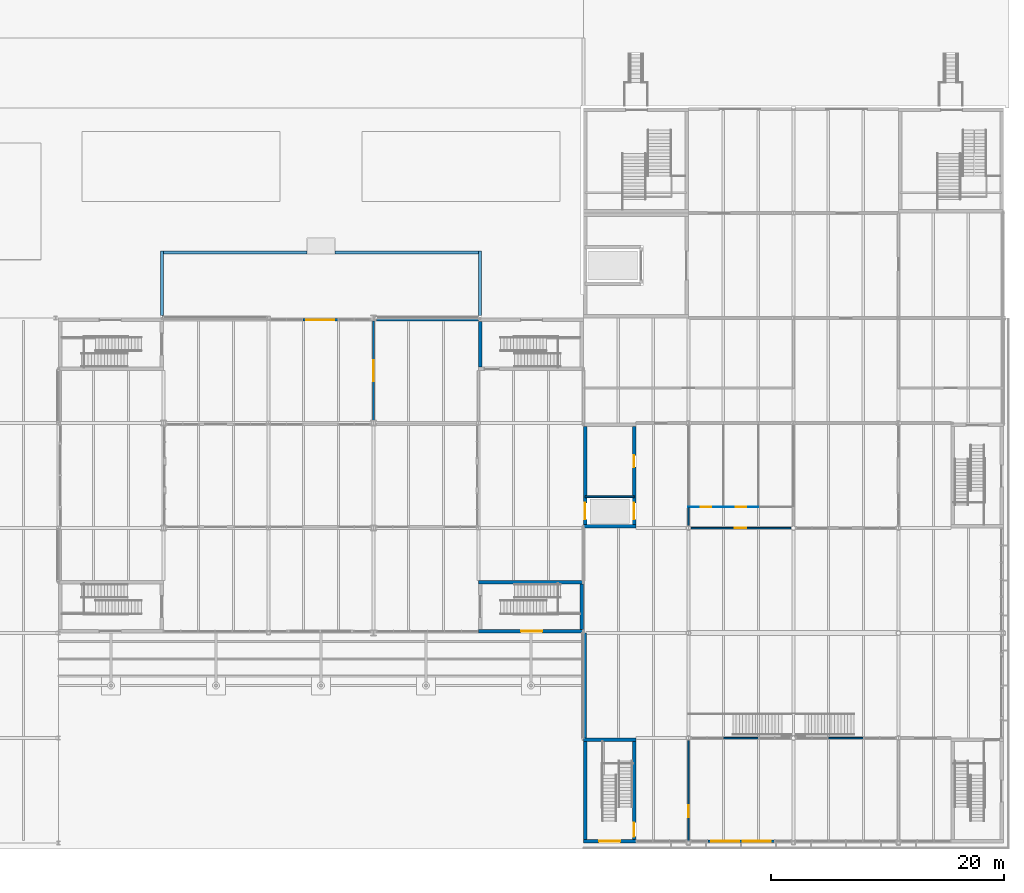
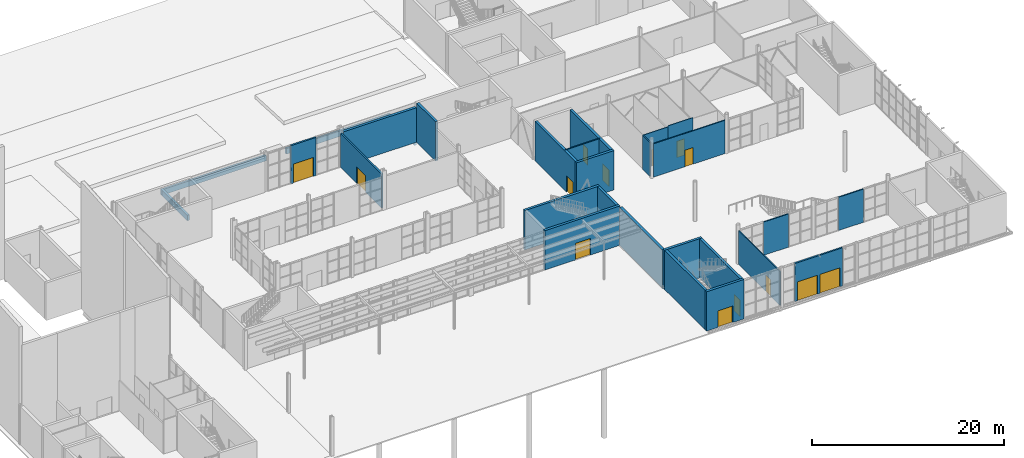
# One storey, part 38 of 63: 28 walls, 14 doors, 14 openings.
"""IFC4 building model written with IfcOpenShell, lengths in metres."""

from ifc_helpers import new_model, si_unit, direction, frame, frame_2d, origin, place, context, subcontext, project, spatial, rectangle, extrude, material, layer, layer_set, type_object, element, fill, save


model = new_model("IFC4")

# Units and contexts
model_context = context("Model", 3, precision=1e-05, world=origin(), true_north=direction((0.0, 1.0)))
body_context = subcontext(model_context, "Body", "Model", "MODEL_VIEW")
ifc_project = project(units=[si_unit("LENGTHUNIT", "METRE"), si_unit("AREAUNIT", "SQUARE_METRE"), si_unit("VOLUMEUNIT", "CUBIC_METRE"), si_unit("PLANEANGLEUNIT", "RADIAN"), si_unit("MASSUNIT", "GRAM", prefix="KILO")], contexts=[model_context])

# Site, building, storey
site_placement = place(None, origin())
site = spatial("IfcSite", under=ifc_project, at=site_placement, CompositionType="ELEMENT")
building_placement = place(site_placement, origin())
building = spatial("IfcBuilding", under=site, at=building_placement, Name="Halyard Row Museum", CompositionType="ELEMENT")
storey_placement = place(building_placement, origin())
storey = spatial("IfcBuildingStorey", under=building, at=storey_placement, Name="L00", CompositionType="ELEMENT", Elevation=0.0)

# Wall
ifc_material_1 = material(Name="Timber battens on insulated steel-stud wall", Category="steel")
ifc_layer_1 = layer(ifc_material_1, 0.320068359375)
ifc_layer_set_1 = layer_set([ifc_layer_1], Name="Timber battens on insulated steel-stud wall")
wall_type_1 = type_object("IfcWallType", Name="Batten rainscreen wall 320 deep reveal", PredefinedType="SOLIDWALL", material=ifc_layer_set_1)
wall_1_placement = place(storey_placement, frame((72.10009765625, 9.0, 0.0), z_axis=(0.0, 0.0, 1.0), x_axis=(0.0, 1.0, 0.0)))
element("IfcWall", 1, at=wall_1_placement, inside=storey, type_object=wall_type_1, Name="Wall WL00-800", PredefinedType="SOLIDWALL", context=body_context, shape_type="SweptSolid", body=[
    extrude(rectangle(XDim=9.0, YDim=0.320068359375, at=frame_2d((4.5, 0.0))), origin(), (0.0, 0.0, 1.0), 4.8349609375),
])

# Wall, opening, door
ifc_material_2 = material(Name="Concrete masonry 15 MPa", Category="masonry")
ifc_layer_2 = layer(ifc_material_2, 0.199951171875)
ifc_layer_set_2 = layer_set([ifc_layer_2], Name="Concrete masonry 15 MPa")
wall_type_2 = type_object("IfcWallType", Name="Blockwork wall 200 fire rated", PredefinedType="PARTITIONING", material=ifc_layer_set_2)
wall_2_placement = place(storey_placement, frame((54.0, 36.239990234375, 0.0), z_axis=(0.0, 0.0, 1.0), x_axis=(0.0, 1.0, 0.0)))
wall_2 = element("IfcWall", 2, at=wall_2_placement, inside=storey, type_object=wall_type_2, Name="Partition Cafe / Catering Kitchen", PredefinedType="PARTITIONING", context=body_context, shape_type="SweptSolid", body=[
    extrude(rectangle(XDim=8.52001953125, YDim=0.199951171875, at=frame_2d((4.260009765625, 0.0))), origin(), (0.0, 0.0, 1.0), 4.302001953125),
])
opening_1_placement = place(wall_2_placement, frame((3.35009765625, 0.0, 0.0)))
opening_1 = element("IfcOpeningElement", 3, at=opening_1_placement, cuts=wall_2, Name="Opening DL00-039", PredefinedType="OPENING", context=body_context, shape_type="SweptSolid", body=[
    extrude(rectangle(XDim=1.800048828125, YDim=2.10009765625, at=frame_2d((0.89990234375, 1.050048828125))), frame((0.0, 0.10986328125, 0.0), z_axis=(0.0, -1.0, 0.0), x_axis=(1.0, 0.0, 0.0)), (0.0, 0.0, 1.0), 0.219970703125),
])
ifc_material_3 = material(Name="Timber veneered door leaf and softwood frame", Category="wood")
door_type_1 = type_object("IfcDoorType", Name="Double door 1800 x 2100 fire rated", OperationType="NOTDEFINED", PredefinedType="DOOR", material=ifc_material_3)
door_1_placement = place(opening_1_placement, frame((1.800048828125, 0.0, 0.0), z_axis=(0.0, 0.0, 1.0), x_axis=(-1.0, 0.0, 0.0)))
door_1 = element("IfcDoor", 4, at=door_1_placement, inside=storey, type_object=door_type_1, Name="Door Catering Kitchen to Cafe", OperationType="DOUBLE_DOOR_SINGLE_SWING", OverallHeight=2.10009765625, OverallWidth=1.800048828125, PredefinedType="DOOR", context=body_context, shape_type="SweptSolid", body=[
    extrude(rectangle(XDim=1.800048828125, YDim=2.10009765625, at=frame_2d((0.89990234375, 1.050048828125))), frame((0.0, 0.02490234375, 0.0), z_axis=(0.0, -1.0, 0.0), x_axis=(1.0, 0.0, 0.0)), (0.0, 0.0, 1.0), 0.050048828125),
])
fill(opening_1, door_1)

# Wall
ifc_material_4 = material(Name="Concrete 40 MPa", Category="concrete")
ifc_layer_3 = layer(ifc_material_4, 0.300048828125)
ifc_layer_set_3 = layer_set([ifc_layer_3], Name="Concrete 40 MPa")
wall_type_3 = type_object("IfcWallType", Name="Core wall 300 lift shaft", PredefinedType="SOLIDWALL", material=ifc_layer_set_3)
wall_3_placement = place(storey_placement, frame((72.0, 27.14990234375, 0.0), z_axis=(0.0, 0.0, 1.0), x_axis=(1.0, 0.0, 0.0)))
element("IfcWall", 5, at=wall_3_placement, inside=storey, type_object=wall_type_3, Name="Core wall K7 S L00", PredefinedType="SOLIDWALL", context=body_context, shape_type="SweptSolid", body=[
    extrude(rectangle(XDim=4.5, YDim=0.300048828125, at=frame_2d((2.25, 0.0))), origin(), (0.0, 0.0, 1.0), 5.0),
])

# Wall, openings, doors
wall_4_placement = place(storey_placement, frame((76.35009765625, 27.300048828125, 0.0), z_axis=(0.0, 0.0, 1.0), x_axis=(0.0, 1.0, 0.0)))
wall_4 = element("IfcWall", 6, at=wall_4_placement, inside=storey, type_object=wall_type_3, Name="Core wall K7 E L00", PredefinedType="SOLIDWALL", context=body_context, shape_type="SweptSolid", body=[
    extrude(rectangle(XDim=8.39990234375, YDim=0.300048828125, at=frame_2d((4.199951171875, 0.0))), origin(), (0.0, 0.0, 1.0), 5.0),
])
opening_2_placement = place(wall_4_placement, frame((0.449951171875, 0.0, 0.0)))
opening_2 = element("IfcOpeningElement", 7, at=opening_2_placement, cuts=wall_4, Name="Opening LDPL1-L00", PredefinedType="OPENING", context=body_context, shape_type="SweptSolid", body=[
    extrude(rectangle(XDim=1.39990234375, YDim=2.10009765625, at=frame_2d((0.699951171875, 1.050048828125))), frame((0.0, 0.159912109375, 0.0), z_axis=(0.0, -1.0, 0.0), x_axis=(1.0, 0.0, 0.0)), (0.0, 0.0, 1.0), 0.320068359375),
])
opening_3_placement = place(wall_4_placement, frame((4.925048828125, 0.0, 0.0)))
opening_3 = element("IfcOpeningElement", 8, at=opening_3_placement, cuts=wall_4, Name="Opening DL00-024", PredefinedType="OPENING", context=body_context, shape_type="SweptSolid", body=[
    extrude(rectangle(XDim=1.0, YDim=2.10009765625, at=frame_2d((0.5, 1.050048828125))), frame((0.0, 0.159912109375, 0.0), z_axis=(0.0, -1.0, 0.0), x_axis=(1.0, 0.0, 0.0)), (0.0, 0.0, 1.0), 0.320068359375),
])
ifc_material_5 = material(Name="Stainless steel sliding car and landing doors", Category="steel")
door_type_2 = type_object("IfcDoorType", Name="Lift landing door 1400 x 2100", OperationType="SLIDING_TO_LEFT", PredefinedType="DOOR", material=ifc_material_5)
door_2_placement = place(opening_2_placement, origin())
door_2 = element("IfcDoor", 9, at=door_2_placement, inside=storey, type_object=door_type_2, Name="Landing door PL1 E L00", OperationType="SLIDING_TO_LEFT", OverallHeight=2.10009765625, OverallWidth=1.39990234375, PredefinedType="DOOR", context=body_context, shape_type="SweptSolid", body=[
    extrude(rectangle(XDim=1.39990234375, YDim=2.10009765625, at=frame_2d((0.699951171875, 1.050048828125))), frame((0.0, 0.02490234375, 0.0), z_axis=(0.0, -1.0, 0.0), x_axis=(1.0, 0.0, 0.0)), (0.0, 0.0, 1.0), 0.050048828125),
])
fill(opening_2, door_2)
ifc_material_6 = material(Name="Galvanised steel door leaf and frame", Category="steel")
door_type_3 = type_object("IfcDoorType", Name="Riser door 1000 x 2100 fire rated", OperationType="NOTDEFINED", PredefinedType="DOOR", material=ifc_material_6)
door_3_placement = place(opening_3_placement, frame((1.0, 0.0, 0.0), z_axis=(0.0, 0.0, 1.0), x_axis=(-1.0, 0.0, 0.0)))
door_3 = element("IfcDoor", 10, at=door_3_placement, inside=storey, type_object=door_type_3, Name="Riser door K7 L00", OperationType="SINGLE_SWING_RIGHT", OverallHeight=2.10009765625, OverallWidth=1.0, PredefinedType="DOOR", context=body_context, shape_type="SweptSolid", body=[
    extrude(rectangle(XDim=1.0, YDim=2.10009765625, at=frame_2d((0.5, 1.050048828125))), frame((0.0, 0.02490234375, 0.0), z_axis=(0.0, -1.0, 0.0), x_axis=(1.0, 0.0, 0.0)), (0.0, 0.0, 1.0), 0.050048828125),
])
fill(opening_3, door_3)

# Wall, opening, door
wall_5_placement = place(storey_placement, frame((72.14990234375, 27.300048828125, 0.0), z_axis=(0.0, 0.0, 1.0), x_axis=(0.0, 1.0, 0.0)))
wall_5 = element("IfcWall", 11, at=wall_5_placement, inside=storey, type_object=wall_type_3, Name="Core wall K7 W L00", PredefinedType="SOLIDWALL", context=body_context, shape_type="SweptSolid", body=[
    extrude(rectangle(XDim=8.39990234375, YDim=0.300048828125, at=frame_2d((4.199951171875, 0.0))), origin(), (0.0, 0.0, 1.0), 5.0),
])
opening_4_placement = place(wall_5_placement, frame((0.449951171875, 0.0, 0.0)))
opening_4 = element("IfcOpeningElement", 12, at=opening_4_placement, cuts=wall_5, Name="Opening LDPL1W-L00", PredefinedType="OPENING", context=body_context, shape_type="SweptSolid", body=[
    extrude(rectangle(XDim=1.39990234375, YDim=2.10009765625, at=frame_2d((0.699951171875, 1.050048828125))), frame((0.0, 0.159912109375, 0.0), z_axis=(0.0, -1.0, 0.0), x_axis=(1.0, 0.0, 0.0)), (0.0, 0.0, 1.0), 0.320068359375),
])
door_4_placement = place(opening_4_placement, origin())
door_4 = element("IfcDoor", 13, at=door_4_placement, inside=storey, type_object=door_type_2, Name="Landing door PL1 W L00", OperationType="SLIDING_TO_RIGHT", OverallHeight=2.10009765625, OverallWidth=1.39990234375, PredefinedType="DOOR", context=body_context, shape_type="SweptSolid", body=[
    extrude(rectangle(XDim=1.39990234375, YDim=2.10009765625, at=frame_2d((0.699951171875, 1.050048828125))), frame((0.0, 0.02490234375, 0.0), z_axis=(0.0, -1.0, 0.0), x_axis=(1.0, 0.0, 0.0)), (0.0, 0.0, 1.0), 0.050048828125),
])
fill(opening_4, door_4)

# Wall, openings, doors
ifc_material_7 = material(Name="Powder-coated aluminium section", Category="aluminium")
ifc_layer_4 = layer(ifc_material_7, 0.199951171875)
ifc_layer_set_4 = layer_set([ifc_layer_4], Name="Powder-coated aluminium section")
wall_type_4 = type_object("IfcWallType", Name="Entrance screen frame 200 aluminium", PredefinedType="SOLIDWALL", material=ifc_layer_set_4)
wall_6_placement = place(storey_placement, frame((82.66259765625, 0.14990234375, 0.0), z_axis=(0.0, 0.0, 1.0), x_axis=(1.0, 0.0, 0.0)))
wall_6 = element("IfcWall", 14, at=wall_6_placement, inside=storey, type_object=wall_type_4, Name="Wall WL00-816", PredefinedType="SOLIDWALL", context=body_context, shape_type="SweptSolid", body=[
    extrude(rectangle(XDim=5.699951171875, YDim=0.199951171875, at=frame_2d((2.85009765625, 0.0))), origin(), (0.0, 0.0, 1.0), 4.8349609375),
])
opening_5_placement = place(wall_6_placement, frame((0.300048828125, 0.0, 0.0)))
opening_5 = element("IfcOpeningElement", 15, at=opening_5_placement, cuts=wall_6, Name="Opening DL00-400", PredefinedType="OPENING", context=body_context, shape_type="SweptSolid", body=[
    extrude(rectangle(XDim=2.39990234375, YDim=2.39990234375, at=frame_2d((1.199951171875, 1.199951171875))), frame((0.0, 0.10986328125, 0.0), z_axis=(0.0, -1.0, 0.0), x_axis=(1.0, 0.0, 0.0)), (0.0, 0.0, 1.0), 0.219970703125),
])
opening_6_placement = place(wall_6_placement, frame((3.0, 0.0, 0.0)))
opening_6 = element("IfcOpeningElement", 16, at=opening_6_placement, cuts=wall_6, Name="Opening DL00-401", PredefinedType="OPENING", context=body_context, shape_type="SweptSolid", body=[
    extrude(rectangle(XDim=2.39990234375, YDim=2.39990234375, at=frame_2d((1.199951171875, 1.199951171875))), frame((0.0, 0.10986328125, 0.0), z_axis=(0.0, -1.0, 0.0), x_axis=(1.0, 0.0, 0.0)), (0.0, 0.0, 1.0), 0.219970703125),
])
ifc_material_8 = material(Name="Powder-coated aluminium section", Category="aluminium")
door_type_4 = type_object("IfcDoorType", Name="Exitway door DE1 entrance double 2400 x 2400", OperationType="NOTDEFINED", PredefinedType="DOOR", material=ifc_material_8)
door_5_placement = place(opening_5_placement, frame((2.39990234375, 0.0, 0.0), z_axis=(0.0, 0.0, 1.0), x_axis=(-1.0, 0.0, 0.0)))
door_5 = element("IfcDoor", 17, at=door_5_placement, inside=storey, type_object=door_type_4, Name="Door DL00-400", OperationType="DOUBLE_DOOR_SINGLE_SWING", OverallHeight=2.39990234375, OverallWidth=2.39990234375, PredefinedType="DOOR", context=body_context, shape_type="SweptSolid", body=[
    extrude(rectangle(XDim=2.39990234375, YDim=2.39990234375, at=frame_2d((1.199951171875, 1.199951171875))), frame((0.0, 0.02490234375, 0.0), z_axis=(0.0, -1.0, 0.0), x_axis=(1.0, 0.0, 0.0)), (0.0, 0.0, 1.0), 0.050048828125),
])
fill(opening_5, door_5)
door_6_placement = place(opening_6_placement, frame((2.39990234375, 0.0, 0.0), z_axis=(0.0, 0.0, 1.0), x_axis=(-1.0, 0.0, 0.0)))
door_6 = element("IfcDoor", 18, at=door_6_placement, inside=storey, type_object=door_type_4, Name="Door DL00-401", OperationType="DOUBLE_DOOR_SINGLE_SWING", OverallHeight=2.39990234375, OverallWidth=2.39990234375, PredefinedType="DOOR", context=body_context, shape_type="SweptSolid", body=[
    extrude(rectangle(XDim=2.39990234375, YDim=2.39990234375, at=frame_2d((1.199951171875, 1.199951171875))), frame((0.0, 0.02490234375, 0.0), z_axis=(0.0, -1.0, 0.0), x_axis=(1.0, 0.0, 0.0)), (0.0, 0.0, 1.0), 0.050048828125),
])
fill(opening_6, door_6)

# Wall, opening, door
wall_7_placement = place(storey_placement, frame((47.949951171875, 44.85009765625, 0.0), z_axis=(0.0, 0.0, 1.0), x_axis=(1.0, 0.0, 0.0)))
wall_7 = element("IfcWall", 19, at=wall_7_placement, inside=storey, type_object=wall_type_4, Name="Wall WL00-818", PredefinedType="SOLIDWALL", context=body_context, shape_type="SweptSolid", body=[
    extrude(rectangle(XDim=3.0, YDim=0.199951171875, at=frame_2d((1.5, 0.0))), origin(), (0.0, 0.0, 1.0), 4.8349609375),
])
opening_7_placement = place(wall_7_placement, frame((0.300048828125, 0.0, 0.0)))
opening_7 = element("IfcOpeningElement", 20, at=opening_7_placement, cuts=wall_7, Name="Opening DL00-406", PredefinedType="OPENING", context=body_context, shape_type="SweptSolid", body=[
    extrude(rectangle(XDim=2.39990234375, YDim=2.39990234375, at=frame_2d((1.199951171875, 1.199951171875))), frame((0.0, 0.10986328125, 0.0), z_axis=(0.0, -1.0, 0.0), x_axis=(1.0, 0.0, 0.0)), (0.0, 0.0, 1.0), 0.219970703125),
])
door_7_placement = place(opening_7_placement, origin())
door_7 = element("IfcDoor", 21, at=door_7_placement, inside=storey, type_object=door_type_4, Name="Door DL00-406", OperationType="DOUBLE_DOOR_SINGLE_SWING", OverallHeight=2.39990234375, OverallWidth=2.39990234375, PredefinedType="DOOR", context=body_context, shape_type="SweptSolid", body=[
    extrude(rectangle(XDim=2.39990234375, YDim=2.39990234375, at=frame_2d((1.199951171875, 1.199951171875))), frame((0.0, 0.02490234375, 0.0), z_axis=(0.0, -1.0, 0.0), x_axis=(1.0, 0.0, 0.0)), (0.0, 0.0, 1.0), 0.050048828125),
])
fill(opening_7, door_7)

# Wall
ifc_material_9 = material(Name="Concrete 40 MPa", Category="concrete")
ifc_layer_5 = layer(ifc_material_9, 0.300048828125)
ifc_layer_set_5 = layer_set([ifc_layer_5], Name="Concrete 40 MPa")
wall_type_5 = type_object("IfcWallType", Name="Exitway wall 300 reinforced concrete", PredefinedType="SOLIDWALL", material=ifc_layer_set_5)
wall_8_placement = place(storey_placement, frame((63.14990234375, 40.800048828125, 0.0), z_axis=(0.0, 0.0, 1.0), x_axis=(0.0, 1.0, 0.0)))
element("IfcWall", 22, at=wall_8_placement, inside=storey, type_object=wall_type_5, Name="Core wall K1B W L00", PredefinedType="SOLIDWALL", context=body_context, shape_type="SweptSolid", body=[
    extrude(rectangle(XDim=3.89990234375, YDim=0.300048828125, at=frame_2d((1.949951171875, 0.0))), origin(), (0.0, 0.0, 1.0), 5.0),
])

# Wall, opening, door
wall_9_placement = place(storey_placement, frame((63.0, 18.14990234375, 0.0), z_axis=(0.0, 0.0, 1.0), x_axis=(1.0, 0.0, 0.0)))
wall_9 = element("IfcWall", 23, at=wall_9_placement, inside=storey, type_object=wall_type_5, Name="Core wall K1C S L00", PredefinedType="SOLIDWALL", context=body_context, shape_type="SweptSolid", body=[
    extrude(rectangle(XDim=9.0, YDim=0.300048828125, at=frame_2d((4.5, 0.0))), origin(), (0.0, 0.0, 1.0), 5.0),
])
opening_8_placement = place(wall_9_placement, frame((3.64990234375, 0.0, 0.0)))
opening_8 = element("IfcOpeningElement", 24, at=opening_8_placement, cuts=wall_9, Name="Opening DL00-005", PredefinedType="OPENING", context=body_context, shape_type="SweptSolid", body=[
    extrude(rectangle(XDim=1.800048828125, YDim=2.10009765625, at=frame_2d((0.89990234375, 1.050048828125))), frame((0.0, 0.159912109375, 0.0), z_axis=(0.0, -1.0, 0.0), x_axis=(1.0, 0.0, 0.0)), (0.0, 0.0, 1.0), 0.320068359375),
])
ifc_material_10 = material(Name="Fire-resisting timber door leaf and steel frame", Category="steel")
door_type_5 = type_object("IfcDoorType", Name="Exitway door 1800 x 2100 fire rated", OperationType="NOTDEFINED", PredefinedType="DOOR", material=ifc_material_10)
door_8_placement = place(opening_8_placement, frame((1.800048828125, 0.0, 0.0), z_axis=(0.0, 0.0, 1.0), x_axis=(-1.0, 0.0, 0.0)))
door_8 = element("IfcDoor", 25, at=door_8_placement, inside=storey, type_object=door_type_5, Name="Exitway door K1C exit", OperationType="DOUBLE_DOOR_SINGLE_SWING", OverallHeight=2.10009765625, OverallWidth=1.800048828125, PredefinedType="DOOR", context=body_context, shape_type="SweptSolid", body=[
    extrude(rectangle(XDim=1.800048828125, YDim=2.10009765625, at=frame_2d((0.89990234375, 1.050048828125))), frame((0.0, 0.02490234375, 0.0), z_axis=(0.0, -1.0, 0.0), x_axis=(1.0, 0.0, 0.0)), (0.0, 0.0, 1.0), 0.050048828125),
])
fill(opening_8, door_8)

# Walls
wall_10_placement = place(storey_placement, frame((71.85009765625, 18.300048828125, 0.0), z_axis=(0.0, 0.0, 1.0), x_axis=(0.0, 1.0, 0.0)))
element("IfcWall", 26, at=wall_10_placement, inside=storey, type_object=wall_type_5, Name="Core wall K1C E L00", PredefinedType="SOLIDWALL", context=body_context, shape_type="SweptSolid", body=[
    extrude(rectangle(XDim=3.89990234375, YDim=0.300048828125, at=frame_2d((1.949951171875, 0.0))), origin(), (0.0, 0.0, 1.0), 5.0),
])
wall_11_placement = place(storey_placement, frame((63.0, 22.35009765625, 0.0), z_axis=(0.0, 0.0, 1.0), x_axis=(1.0, 0.0, 0.0)))
element("IfcWall", 27, at=wall_11_placement, inside=storey, type_object=wall_type_5, Name="Core wall K1C N L00", PredefinedType="SOLIDWALL", context=body_context, shape_type="SweptSolid", body=[
    extrude(rectangle(XDim=9.0, YDim=0.300048828125, at=frame_2d((4.5, 0.0))), origin(), (0.0, 0.0, 1.0), 5.0),
])

# Wall, opening, door
wall_12_placement = place(storey_placement, frame((72.0, 0.14990234375, 0.0), z_axis=(0.0, 0.0, 1.0), x_axis=(1.0, 0.0, 0.0)))
wall_12 = element("IfcWall", 28, at=wall_12_placement, inside=storey, type_object=wall_type_5, Name="Core wall K2A S L00", PredefinedType="SOLIDWALL", context=body_context, shape_type="SweptSolid", body=[
    extrude(rectangle(XDim=4.5, YDim=0.300048828125, at=frame_2d((2.25, 0.0))), origin(), (0.0, 0.0, 1.0), 5.0),
])
opening_9_placement = place(wall_12_placement, frame((1.35009765625, 0.0, 0.0)))
opening_9 = element("IfcOpeningElement", 29, at=opening_9_placement, cuts=wall_12, Name="Opening DL00-009", PredefinedType="OPENING", context=body_context, shape_type="SweptSolid", body=[
    extrude(rectangle(XDim=1.800048828125, YDim=2.10009765625, at=frame_2d((0.89990234375, 1.050048828125))), frame((0.0, 0.159912109375, 0.0), z_axis=(0.0, -1.0, 0.0), x_axis=(1.0, 0.0, 0.0)), (0.0, 0.0, 1.0), 0.320068359375),
])
door_9_placement = place(opening_9_placement, frame((1.800048828125, 0.0, 0.0), z_axis=(0.0, 0.0, 1.0), x_axis=(-1.0, 0.0, 0.0)))
door_9 = element("IfcDoor", 30, at=door_9_placement, inside=storey, type_object=door_type_5, Name="Exitway door K2A exit", OperationType="DOUBLE_DOOR_SINGLE_SWING", OverallHeight=2.10009765625, OverallWidth=1.800048828125, PredefinedType="DOOR", context=body_context, shape_type="SweptSolid", body=[
    extrude(rectangle(XDim=1.800048828125, YDim=2.10009765625, at=frame_2d((0.89990234375, 1.050048828125))), frame((0.0, 0.02490234375, 0.0), z_axis=(0.0, -1.0, 0.0), x_axis=(1.0, 0.0, 0.0)), (0.0, 0.0, 1.0), 0.050048828125),
])
fill(opening_9, door_9)

wall_13_placement = place(storey_placement, frame((76.35009765625, 0.300048828125, 0.0), z_axis=(0.0, 0.0, 1.0), x_axis=(0.0, 1.0, 0.0)))
wall_13 = element("IfcWall", 31, at=wall_13_placement, inside=storey, type_object=wall_type_5, Name="Core wall K2A E L00", PredefinedType="SOLIDWALL", context=body_context, shape_type="SweptSolid", body=[
    extrude(rectangle(XDim=8.39990234375, YDim=0.300048828125, at=frame_2d((4.199951171875, 0.0))), origin(), (0.0, 0.0, 1.0), 5.0),
])
opening_10_placement = place(wall_13_placement, frame((0.25, 0.0, 0.0)))
opening_10 = element("IfcOpeningElement", 32, at=opening_10_placement, cuts=wall_13, Name="Opening DL00-010", PredefinedType="OPENING", context=body_context, shape_type="SweptSolid", body=[
    extrude(rectangle(XDim=1.199951171875, YDim=2.10009765625, at=frame_2d((0.60009765625, 1.050048828125))), frame((0.0, 0.159912109375, 0.0), z_axis=(0.0, -1.0, 0.0), x_axis=(1.0, 0.0, 0.0)), (0.0, 0.0, 1.0), 0.320068359375),
])
ifc_material_11 = material(Name="Fire-resisting timber door leaf and steel frame", Category="steel")
door_type_6 = type_object("IfcDoorType", Name="Exitway door 1200 x 2100 fire rated", OperationType="NOTDEFINED", PredefinedType="DOOR", material=ifc_material_11)
door_10_placement = place(opening_10_placement, origin())
door_10 = element("IfcDoor", 33, at=door_10_placement, inside=storey, type_object=door_type_6, Name="Exitway door K2A L00", OperationType="SINGLE_SWING_RIGHT", OverallHeight=2.10009765625, OverallWidth=1.199951171875, PredefinedType="DOOR", context=body_context, shape_type="SweptSolid", body=[
    extrude(rectangle(XDim=1.199951171875, YDim=2.10009765625, at=frame_2d((0.60009765625, 1.050048828125))), frame((0.0, 0.02490234375, 0.0), z_axis=(0.0, -1.0, 0.0), x_axis=(1.0, 0.0, 0.0)), (0.0, 0.0, 1.0), 0.050048828125),
])
fill(opening_10, door_10)

# Walls
wall_14_placement = place(storey_placement, frame((72.0, 8.85009765625, 0.0), z_axis=(0.0, 0.0, 1.0), x_axis=(1.0, 0.0, 0.0)))
element("IfcWall", 34, at=wall_14_placement, inside=storey, type_object=wall_type_5, Name="Core wall K2A N L00", PredefinedType="SOLIDWALL", context=body_context, shape_type="SweptSolid", body=[
    extrude(rectangle(XDim=4.5, YDim=0.300048828125, at=frame_2d((2.25, 0.0))), origin(), (0.0, 0.0, 1.0), 5.0),
])
wall_15_placement = place(storey_placement, frame((72.14990234375, 0.300048828125, 0.0), z_axis=(0.0, 0.0, 1.0), x_axis=(0.0, 1.0, 0.0)))
element("IfcWall", 35, at=wall_15_placement, inside=storey, type_object=wall_type_5, Name="Core wall K2A W L00", PredefinedType="SOLIDWALL", context=body_context, shape_type="SweptSolid", body=[
    extrude(rectangle(XDim=8.39990234375, YDim=0.300048828125, at=frame_2d((4.199951171875, 0.0))), origin(), (0.0, 0.0, 1.0), 5.0),
])
ifc_material_12 = material(Name="Concrete 40 MPa", Category="concrete")
ifc_layer_6 = layer(ifc_material_12, 0.14990234375)
ifc_layer_set_6 = layer_set([ifc_layer_6], Name="Concrete 40 MPa")
wall_type_6 = type_object("IfcWallType", Name="Lift shaft divider 150", PredefinedType="SOLIDWALL", material=ifc_layer_set_6)
wall_16_placement = place(storey_placement, frame((72.14990234375, 29.675048828125, 0.0), z_axis=(0.0, 0.0, 1.0), x_axis=(1.0, 0.0, 0.0)))
element("IfcWall", 36, at=wall_16_placement, inside=storey, type_object=wall_type_6, Name="Shaft divider PL1 L00", PredefinedType="SOLIDWALL", context=body_context, shape_type="SweptSolid", body=[
    extrude(rectangle(XDim=4.2001953125, YDim=0.14990234375, at=frame_2d((2.10009765625, 0.0))), origin(), (0.0, 0.0, 1.0), 5.0),
])
ifc_material_13 = material(Name="Fire-retardant timber rainscreen on insulated steel-stud wall", Category="steel")
ifc_layer_7 = layer(ifc_material_13, 0.300048828125)
ifc_layer_set_7 = layer_set([ifc_layer_7], Name="Fire-retardant timber rainscreen on insulated steel-stud wall")
wall_type_7 = type_object("IfcWallType", Name="Rainscreen wall 300 timber-clad", PredefinedType="SOLIDWALL", material=ifc_layer_set_7)
wall_17_placement = place(storey_placement, frame((54.25, 44.909912109375, 0.0), z_axis=(0.0, 0.0, 1.0), x_axis=(1.0, 0.0, 0.0)))
element("IfcWall", 37, at=wall_17_placement, inside=storey, type_object=wall_type_7, Name="Wall WL00-805", PredefinedType="SOLIDWALL", context=body_context, shape_type="SweptSolid", body=[
    extrude(rectangle(XDim=8.75, YDim=0.300048828125, at=frame_2d((4.375, 0.0))), origin(), (0.0, 0.0, 1.0), 4.377685546875),
])
ifc_material_14 = material(Name="Concrete 40 MPa", Category="concrete")
ifc_layer_8 = layer(ifc_material_14, 0.25)
ifc_layer_set_8 = layer_set([ifc_layer_8], Name="Concrete 40 MPa")
wall_type_8 = type_object("IfcWallType", Name="Retaining wall 250 board-formed concrete", PredefinedType="SOLIDWALL", material=ifc_layer_set_8)
for number, where, z_axis, x_axis, name in (
    (38, (35.875, 45.199951171875, -0.699951171875), (0.0, 0.0, 1.0), (0.0, 1.0, 0.0), "Terrace retaining wall west"),
    (39, (63.125, 45.199951171875, -0.699951171875), (0.0, 0.0, 1.0), (0.0, 1.0, 0.0), "Terrace retaining wall east"),
):
    element("IfcWall", number, at=place(storey_placement, frame(where, z_axis=z_axis, x_axis=x_axis)), inside=storey, type_object=wall_type_8, Name=name, PredefinedType="SOLIDWALL", context=body_context, shape_type="SweptSolid", body=[
        extrude(rectangle(XDim=5.550048828125, YDim=0.25, at=frame_2d((2.77490234375, 0.0))), origin(), (0.0, 0.0, 1.0), 0.699951171875),
    ])
for number, where, z_axis, x_axis, name in (
    (40, (35.75, 50.625, -0.699951171875), (0.0, 0.0, 1.0), (1.0, 0.0, 0.0), "Terrace retaining wall front west"),
    (41, (50.699951171875, 50.625, -0.699951171875), (0.0, 0.0, 1.0), (1.0, 0.0, 0.0), "Terrace retaining wall front east"),
):
    element("IfcWall", number, at=place(storey_placement, frame(where, z_axis=z_axis, x_axis=x_axis)), inside=storey, type_object=wall_type_8, Name=name, PredefinedType="SOLIDWALL", context=body_context, shape_type="SweptSolid", body=[
        extrude(rectangle(XDim=12.550048828125, YDim=0.25, at=frame_2d((6.27490234375, 0.0))), origin(), (0.0, 0.0, 1.0), 0.699951171875),
    ])
ifc_material_15 = material(Name="Plasterboard on steel studs with mineral wool", Category="steel")
ifc_layer_9 = layer(ifc_material_15, 0.125)
ifc_layer_set_9 = layer_set([ifc_layer_9], Name="Plasterboard on steel studs with mineral wool")
wall_type_9 = type_object("IfcWallType", Name="Stud partition 125", PredefinedType="PARTITIONING", material=ifc_layer_set_9)
for number, where, z_axis, x_axis, name in (
    (42, (84.0, 9.0, 0.0), (0.0, 0.0, 1.0), (1.0, 0.0, 0.0), "Partition Atrium / Museum Shop"),
    (43, (93.0, 9.0, 0.0), (0.0, 0.0, 1.0), (1.0, 0.0, 0.0), "Partition Atrium / Museum Shop"),
):
    element("IfcWall", number, at=place(storey_placement, frame(where, z_axis=z_axis, x_axis=x_axis)), inside=storey, type_object=wall_type_9, Name=name, PredefinedType="PARTITIONING", context=body_context, shape_type="SweptSolid", body=[
        extrude(rectangle(XDim=3.0, YDim=0.125, at=frame_2d((1.5, 0.0))), origin(), (0.0, 0.0, 1.0), 4.22802734375),
    ])

# Wall, opening, door
wall_18_placement = place(storey_placement, frame((81.0, 0.175048828125, 0.0), z_axis=(0.0, 0.0, 1.0), x_axis=(0.0, 1.0, 0.0)))
wall_18 = element("IfcWall", 44, at=wall_18_placement, inside=storey, type_object=wall_type_9, Name="Partition Ticket Office / Museum Shop", PredefinedType="PARTITIONING", context=body_context, shape_type="SweptSolid", body=[
    extrude(rectangle(XDim=8.621826171875, YDim=0.125, at=frame_2d((4.31103515625, 0.0))), origin(), (0.0, 0.0, 1.0), 4.302001953125),
])
opening_11_placement = place(wall_18_placement, frame((2.050048828125, 0.0, 0.0)))
opening_11 = element("IfcOpeningElement", 45, at=opening_11_placement, cuts=wall_18, Name="Opening DL00-040", PredefinedType="OPENING", context=body_context, shape_type="SweptSolid", body=[
    extrude(rectangle(XDim=1.0, YDim=2.10009765625, at=frame_2d((0.5, 1.050048828125))), frame((0.0, 0.072509765625, 0.0), z_axis=(0.0, -1.0, 0.0), x_axis=(1.0, 0.0, 0.0)), (0.0, 0.0, 1.0), 0.14501953125),
])
ifc_material_16 = material(Name="Timber veneered door leaf and softwood frame", Category="wood")
door_type_7 = type_object("IfcDoorType", Name="Single door 1000 x 2100", OperationType="NOTDEFINED", PredefinedType="DOOR", material=ifc_material_16)
door_11_placement = place(opening_11_placement, frame((1.0, 0.0, 0.0), z_axis=(0.0, 0.0, 1.0), x_axis=(-1.0, 0.0, 0.0)))
door_11 = element("IfcDoor", 46, at=door_11_placement, inside=storey, type_object=door_type_7, Name="Door Museum Shop to Ticket Office", OperationType="SINGLE_SWING_LEFT", OverallHeight=2.10009765625, OverallWidth=1.0, PredefinedType="DOOR", context=body_context, shape_type="SweptSolid", body=[
    extrude(rectangle(XDim=1.0, YDim=2.10009765625, at=frame_2d((0.5, 1.050048828125))), frame((0.0, 0.02490234375, 0.0), z_axis=(0.0, -1.0, 0.0), x_axis=(1.0, 0.0, 0.0)), (0.0, 0.0, 1.0), 0.050048828125),
])
fill(opening_11, door_11)

ifc_material_17 = material(Name="Plasterboard on steel studs with mineral wool", Category="steel")
ifc_layer_10 = layer(ifc_material_17, 0.125)
ifc_layer_set_10 = layer_set([ifc_layer_10], Name="Plasterboard on steel studs with mineral wool")
wall_type_10 = type_object("IfcWallType", Name="Stud partition 125 fire rated", PredefinedType="PARTITIONING", material=ifc_layer_set_10)
wall_19_placement = place(storey_placement, frame((81.203125, 27.0, 0.0), z_axis=(0.0, 0.0, 1.0), x_axis=(1.0, 0.0, 0.0)))
wall_19 = element("IfcWall", 47, at=wall_19_placement, inside=storey, type_object=wall_type_10, Name="Partition Atrium / WC Lobby L00 Atrium", PredefinedType="PARTITIONING", context=body_context, shape_type="SweptSolid", body=[
    extrude(rectangle(XDim=8.59375, YDim=0.125, at=frame_2d((4.296875, 0.0))), origin(), (0.0, 0.0, 1.0), 4.22802734375),
])
opening_12_placement = place(wall_19_placement, frame((3.75, 0.0, 0.0)))
opening_12 = element("IfcOpeningElement", 48, at=opening_12_placement, cuts=wall_19, Name="Opening DL00-048", PredefinedType="OPENING", context=body_context, shape_type="SweptSolid", body=[
    extrude(rectangle(XDim=1.0, YDim=2.10009765625, at=frame_2d((0.5, 1.050048828125))), frame((0.0, 0.072509765625, 0.0), z_axis=(0.0, -1.0, 0.0), x_axis=(1.0, 0.0, 0.0)), (0.0, 0.0, 1.0), 0.14501953125),
])
ifc_material_18 = material(Name="Timber veneered door leaf and softwood frame", Category="wood")
door_type_8 = type_object("IfcDoorType", Name="Single door 1000 x 2100 fire rated", OperationType="NOTDEFINED", PredefinedType="DOOR", material=ifc_material_18)
door_12_placement = place(opening_12_placement, origin())
door_12 = element("IfcDoor", 49, at=door_12_placement, inside=storey, type_object=door_type_8, Name="Door WC Lobby L00 Atrium to Atrium", OperationType="SINGLE_SWING_RIGHT", OverallHeight=2.10009765625, OverallWidth=1.0, PredefinedType="DOOR", context=body_context, shape_type="SweptSolid", body=[
    extrude(rectangle(XDim=1.0, YDim=2.10009765625, at=frame_2d((0.5, 1.050048828125))), frame((0.0, 0.02490234375, 0.0), z_axis=(0.0, -1.0, 0.0), x_axis=(1.0, 0.0, 0.0)), (0.0, 0.0, 1.0), 0.050048828125),
])
fill(opening_12, door_12)

# Wall
wall_20_placement = place(storey_placement, frame((81.0, 27.203125, 0.0), z_axis=(0.0, 0.0, 1.0), x_axis=(0.0, 1.0, 0.0)))
element("IfcWall", 50, at=wall_20_placement, inside=storey, type_object=wall_type_10, Name="Partition Lift Lobby L00 East / WC Lobby L00 Atrium", PredefinedType="PARTITIONING", context=body_context, shape_type="SweptSolid", body=[
    extrude(rectangle(XDim=1.596923828125, YDim=0.125, at=frame_2d((0.79833984375, 0.0))), origin(), (0.0, 0.0, 1.0), 4.302001953125),
])

# Wall, opening, door
ifc_material_19 = material(Name="Plasterboard on steel studs with mineral wool", Category="steel")
ifc_layer_11 = layer(ifc_material_19, 0.074951171875)
ifc_layer_set_11 = layer_set([ifc_layer_11], Name="Plasterboard on steel studs with mineral wool")
wall_type_11 = type_object("IfcWallType", Name="WC cubicle partition 75 fire rated", PredefinedType="PARTITIONING", material=ifc_layer_set_11)
wall_21_placement = place(storey_placement, frame((81.0, 28.800048828125, 0.0), z_axis=(0.0, 0.0, 1.0), x_axis=(1.0, 0.0, 0.0)))
wall_21 = element("IfcWall", 51, at=wall_21_placement, inside=storey, type_object=wall_type_11, Name="Partition WC Lobby L00 Atrium / WC Women L00 Atrium", PredefinedType="PARTITIONING", context=body_context, shape_type="SweptSolid", body=[
    extrude(rectangle(XDim=3.0, YDim=0.074951171875, at=frame_2d((1.5, 0.0))), origin(), (0.0, 0.0, 1.0), 4.302001953125),
])
opening_13_placement = place(wall_21_placement, frame((1.072509765625, 0.0, 0.0)))
opening_13 = element("IfcOpeningElement", 52, at=opening_13_placement, cuts=wall_21, Name="Opening DL00-049", PredefinedType="OPENING", context=body_context, shape_type="SweptSolid", body=[
    extrude(rectangle(XDim=0.89990234375, YDim=2.10009765625, at=frame_2d((0.449951171875, 1.050048828125))), frame((0.0, 0.04736328125, 0.0), z_axis=(0.0, -1.0, 0.0), x_axis=(1.0, 0.0, 0.0)), (0.0, 0.0, 1.0), 0.094970703125),
])
ifc_material_20 = material(Name="Timber veneered door leaf and softwood frame", Category="wood")
door_type_9 = type_object("IfcDoorType", Name="Single door 900 x 2100 fire rated", OperationType="NOTDEFINED", PredefinedType="DOOR", material=ifc_material_20)
door_13_placement = place(opening_13_placement, origin())
door_13 = element("IfcDoor", 53, at=door_13_placement, inside=storey, type_object=door_type_9, Name="Door WC Women L00 Atrium to WC Lobby L00 Atrium", OperationType="SINGLE_SWING_LEFT", OverallHeight=2.10009765625, OverallWidth=0.89990234375, PredefinedType="DOOR", context=body_context, shape_type="SweptSolid", body=[
    extrude(rectangle(XDim=0.89990234375, YDim=2.10009765625, at=frame_2d((0.449951171875, 1.050048828125))), frame((0.0, 0.02490234375, 0.0), z_axis=(0.0, -1.0, 0.0), x_axis=(1.0, 0.0, 0.0)), (0.0, 0.0, 1.0), 0.050048828125),
])
fill(opening_13, door_13)

wall_22_placement = place(storey_placement, frame((84.0, 28.800048828125, 0.0), z_axis=(0.0, 0.0, 1.0), x_axis=(1.0, 0.0, 0.0)))
wall_22 = element("IfcWall", 54, at=wall_22_placement, inside=storey, type_object=wall_type_11, Name="Partition WC Lobby L00 Atrium / WC Men L00 Atrium", PredefinedType="PARTITIONING", context=body_context, shape_type="SweptSolid", body=[
    extrude(rectangle(XDim=3.0, YDim=0.074951171875, at=frame_2d((1.5, 0.0))), origin(), (0.0, 0.0, 1.0), 4.4287109375),
])
opening_14_placement = place(wall_22_placement, frame((1.050048828125, 0.0, 0.0)))
opening_14 = element("IfcOpeningElement", 55, at=opening_14_placement, cuts=wall_22, Name="Opening DL00-050", PredefinedType="OPENING", context=body_context, shape_type="SweptSolid", body=[
    extrude(rectangle(XDim=0.89990234375, YDim=2.10009765625, at=frame_2d((0.449951171875, 1.050048828125))), frame((0.0, 0.04736328125, 0.0), z_axis=(0.0, -1.0, 0.0), x_axis=(1.0, 0.0, 0.0)), (0.0, 0.0, 1.0), 0.094970703125),
])
door_14_placement = place(opening_14_placement, origin())
door_14 = element("IfcDoor", 56, at=door_14_placement, inside=storey, type_object=door_type_9, Name="Door WC Men L00 Atrium to WC Lobby L00 Atrium", OperationType="SINGLE_SWING_RIGHT", OverallHeight=2.10009765625, OverallWidth=0.89990234375, PredefinedType="DOOR", context=body_context, shape_type="SweptSolid", body=[
    extrude(rectangle(XDim=0.89990234375, YDim=2.10009765625, at=frame_2d((0.449951171875, 1.050048828125))), frame((0.0, 0.02490234375, 0.0), z_axis=(0.0, -1.0, 0.0), x_axis=(1.0, 0.0, 0.0)), (0.0, 0.0, 1.0), 0.050048828125),
])
fill(opening_14, door_14)

save(model, "model.ifc")
